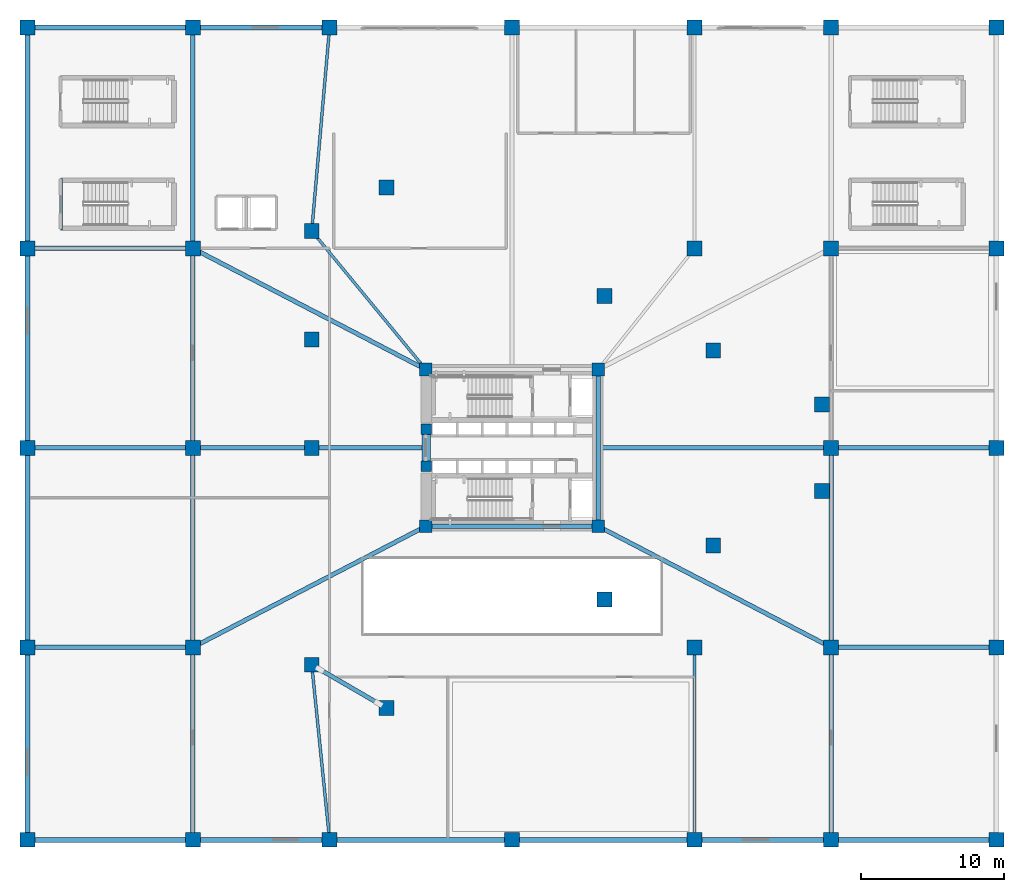
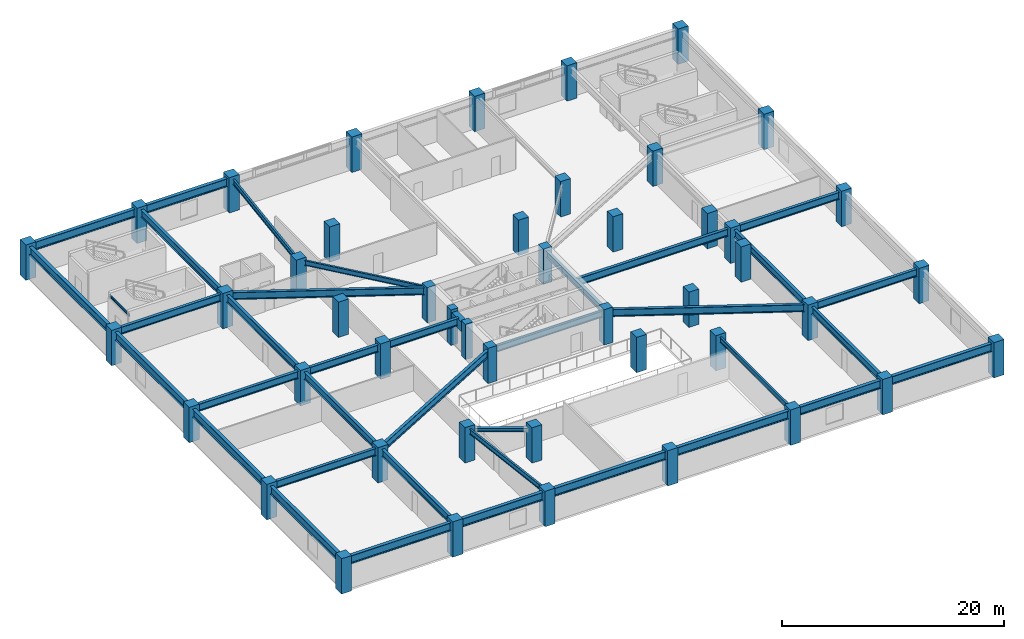
# One storey, part 1 of 15: 46 columns, 36 beams, 1 member.
"""IFC4 building model written with IfcOpenShell, lengths in metres."""

from ifc_helpers import new_model, si_unit, direction, frame, origin, origin_2d, place, context, subcontext, project, spatial, rectangle, i_section, extrude, source, transform, mapped, material, material_profile, profile_set, type_object, element, save


model = new_model("IFC4")

# Units and contexts
model_context = context("Model", 3, precision=1e-05, world=origin(), true_north=direction((0.0, 1.0)))
body_context = subcontext(model_context, "Body", "Model", "MODEL_VIEW")
ifc_project = project(units=[si_unit("LENGTHUNIT", "METRE"), si_unit("AREAUNIT", "SQUARE_METRE"), si_unit("VOLUMEUNIT", "CUBIC_METRE"), si_unit("PLANEANGLEUNIT", "RADIAN"), si_unit("MASSUNIT", "GRAM", prefix="KILO")], contexts=[model_context])

# Site, building, storey
site_placement = place(None, origin())
site = spatial("IfcSite", under=ifc_project, at=site_placement, CompositionType="ELEMENT")
building_placement = place(site_placement, origin())
building = spatial("IfcBuilding", under=site, at=building_placement, Name="Yunling Apex Tower", CompositionType="ELEMENT")
storey_placement = place(building_placement, frame((0.0, 0.0, 12.300048828125)))
storey = spatial("IfcBuildingStorey", under=building, at=storey_placement, Name="L04", CompositionType="ELEMENT", Elevation=12.300048828125)

# Columns
ifc_material_1 = material(Name="Concrete C60", Category="concrete")
ifc_material_profile_1 = material_profile(ifc_material_1, rectangle(XDim=0.89990234375, YDim=0.89990234375, at=origin_2d()))
ifc_profile_set_1 = profile_set([ifc_material_profile_1], Name="Concrete C60")
column_type_1 = type_object("IfcColumnType", Name="PC-SRC-3", PredefinedType="COLUMN", material=ifc_profile_set_1)
shared_shape_1 = source(origin(), body_context, "Body", "SweptSolid", [
    extrude(rectangle(XDim=0.89990234375, YDim=0.89990234375, at=origin_2d()), origin(), (0.0, 0.0, 1.0), 3.89990234375),
])
for number, where, z_axis, x_axis, name in (
    (1, (-6.050048828125, -5.5, 0.0), (0.0, 0.0, 1.0), (1.0, 0.0, 0.0), "L04 Core Spine Column CC-SW"),
    (2, (6.050048828125, -5.5, 0.0), (0.0, 0.0, 1.0), (1.0, 0.0, 0.0), "L04 Core Spine Column CC-SE"),
    (3, (6.050048828125, 5.5, 0.0), (0.0, 0.0, 1.0), (1.0, 0.0, 0.0), "L04 Core Spine Column CC-NE"),
    (4, (-6.050048828125, 5.5, 0.0), (0.0, 0.0, 1.0), (1.0, 0.0, 0.0), "L04 Core Spine Column CC-NW"),
):
    element("IfcColumn", number, at=place(storey_placement, frame(where, z_axis=z_axis, x_axis=x_axis)), inside=storey, type_object=column_type_1, Name=name, PredefinedType="COLUMN", context=body_context, shape_type="MappedRepresentation", body=[
        mapped(shared_shape_1, transform((0.0, 0.0, 0.0), scale=1.0)),
    ])
ifc_material_2 = material(Name="Concrete C50", Category="concrete")
ifc_material_profile_2 = material_profile(ifc_material_2, rectangle(XDim=0.75, YDim=0.75, at=origin_2d()))
ifc_profile_set_2 = profile_set([ifc_material_profile_2], Name="Concrete C50")
column_type_2 = type_object("IfcColumnType", Name="PC-SRC-4", PredefinedType="COLUMN", material=ifc_profile_set_2)
shared_shape_2 = source(origin(), body_context, "Body", "SweptSolid", [
    extrude(rectangle(XDim=0.75, YDim=0.75, at=origin_2d()), origin(), (0.0, 0.0, 1.0), 3.89990234375),
])
for number, where, z_axis, x_axis, name in (
    (5, (-6.02490234375, -1.300048828125, 0.0), (0.0, 0.0, 1.0), (1.0, 0.0, 0.0), "L04 Core West Portal Jamb Column S"),
    (6, (-6.02490234375, 1.300048828125, 0.0), (0.0, 0.0, 1.0), (1.0, 0.0, 0.0), "L04 Core West Portal Jamb Column N"),
):
    element("IfcColumn", number, at=place(storey_placement, frame(where, z_axis=z_axis, x_axis=x_axis)), inside=storey, type_object=column_type_2, Name=name, PredefinedType="COLUMN", context=body_context, shape_type="MappedRepresentation", body=[
        mapped(shared_shape_2, transform((0.0, 0.0, 0.0), scale=1.0)),
    ])
ifc_material_profile_3 = material_profile(ifc_material_1, rectangle(XDim=1.050048828125, YDim=1.050048828125, at=origin_2d()))
ifc_profile_set_3 = profile_set([ifc_material_profile_3], Name="Concrete C60")
column_type_3 = type_object("IfcColumnType", Name="PC-SRC-2", PredefinedType="COLUMN", material=ifc_profile_set_3)
shared_shape_3 = source(origin(), body_context, "Body", "SweptSolid", [
    extrude(rectangle(XDim=1.050048828125, YDim=1.050048828125, at=origin_2d()), origin(), (0.0, 0.0, 1.0), 3.89990234375),
])
for number, where, z_axis, x_axis, name in (
    (7, (-34.0, -27.5, 0.0), (0.0, 0.0, 1.0), (1.0, 0.0, 0.0), "L04 Podium Mega-Column PC-01"),
    (8, (-22.39990234375, -27.5, 0.0), (0.0, 0.0, 1.0), (1.0, 0.0, 0.0), "L04 Podium Mega-Column PC-02"),
    (9, (-12.800048828125, -27.5, 0.0), (0.0, 0.0, 1.0), (1.0, 0.0, 0.0), "L04 Podium Mega-Column PC-03"),
    (10, (0.0, -27.5, 0.0), (0.0, 0.0, 1.0), (1.0, 0.0, 0.0), "L04 Podium Mega-Column PC-04"),
    (11, (12.800048828125, -27.5, 0.0), (0.0, 0.0, 1.0), (1.0, 0.0, 0.0), "L04 Podium Mega-Column PC-05"),
    (12, (22.39990234375, -27.5, 0.0), (0.0, 0.0, 1.0), (1.0, 0.0, 0.0), "L04 Podium Mega-Column PC-06"),
    (13, (34.0, -27.5, 0.0), (0.0, 0.0, 1.0), (1.0, 0.0, 0.0), "L04 Podium Mega-Column PC-07"),
    (14, (-34.0, -14.0, 0.0), (0.0, 0.0, 1.0), (1.0, 0.0, 0.0), "L04 Podium Mega-Column PC-08"),
    (15, (-22.39990234375, -14.0, 0.0), (0.0, 0.0, 1.0), (1.0, 0.0, 0.0), "L04 Podium Mega-Column PC-09"),
    (16, (12.800048828125, -14.0, 0.0), (0.0, 0.0, 1.0), (1.0, 0.0, 0.0), "L04 Podium Mega-Column PC-11"),
    (17, (22.39990234375, -14.0, 0.0), (0.0, 0.0, 1.0), (1.0, 0.0, 0.0), "L04 Podium Mega-Column PC-12"),
    (18, (34.0, -14.0, 0.0), (0.0, 0.0, 1.0), (1.0, 0.0, 0.0), "L04 Podium Mega-Column PC-13"),
    (19, (-34.0, 0.0, 0.0), (0.0, 0.0, 1.0), (1.0, 0.0, 0.0), "L04 Podium Mega-Column PC-14"),
    (20, (-22.39990234375, 0.0, 0.0), (0.0, 0.0, 1.0), (1.0, 0.0, 0.0), "L04 Podium Mega-Column PC-15"),
    (21, (22.39990234375, 0.0, 0.0), (0.0, 0.0, 1.0), (1.0, 0.0, 0.0), "L04 Podium Mega-Column PC-16"),
    (22, (34.0, 0.0, 0.0), (0.0, 0.0, 1.0), (1.0, 0.0, 0.0), "L04 Podium Mega-Column PC-17"),
    (23, (-34.0, 14.0, 0.0), (0.0, 0.0, 1.0), (1.0, 0.0, 0.0), "L04 Podium Mega-Column PC-18"),
    (24, (-22.39990234375, 14.0, 0.0), (0.0, 0.0, 1.0), (1.0, 0.0, 0.0), "L04 Podium Mega-Column PC-19"),
    (25, (12.800048828125, 14.0, 0.0), (0.0, 0.0, 1.0), (1.0, 0.0, 0.0), "L04 Podium Mega-Column PC-21"),
    (26, (22.39990234375, 14.0, 0.0), (0.0, 0.0, 1.0), (1.0, 0.0, 0.0), "L04 Podium Mega-Column PC-22"),
    (27, (34.0, 14.0, 0.0), (0.0, 0.0, 1.0), (1.0, 0.0, 0.0), "L04 Podium Mega-Column PC-23"),
    (28, (-34.0, 29.5, 0.0), (0.0, 0.0, 1.0), (1.0, 0.0, 0.0), "L04 Podium Mega-Column PC-24"),
    (29, (-22.39990234375, 29.5, 0.0), (0.0, 0.0, 1.0), (1.0, 0.0, 0.0), "L04 Podium Mega-Column PC-25"),
    (30, (-12.800048828125, 29.5, 0.0), (0.0, 0.0, 1.0), (1.0, 0.0, 0.0), "L04 Podium Mega-Column PC-26"),
    (31, (0.0, 29.5, 0.0), (0.0, 0.0, 1.0), (1.0, 0.0, 0.0), "L04 Podium Mega-Column PC-27"),
    (32, (12.800048828125, 29.5, 0.0), (0.0, 0.0, 1.0), (1.0, 0.0, 0.0), "L04 Podium Mega-Column PC-28"),
    (33, (22.39990234375, 29.5, 0.0), (0.0, 0.0, 1.0), (1.0, 0.0, 0.0), "L04 Podium Mega-Column PC-29"),
    (34, (34.0, 29.5, 0.0), (0.0, 0.0, 1.0), (1.0, 0.0, 0.0), "L04 Podium Mega-Column PC-30"),
    (35, (-8.8115234375, -18.2578125, 0.0), (0.0, 0.0, 1.0), (1.0, 0.0, 0.0), "L04 Podium Mega-Column MP-B1-01"),
    (36, (6.477294921875, -10.648193359375, 0.0), (0.0, 0.0, 1.0), (1.0, 0.0, 0.0), "L04 Podium Mega-Column MP-B1-02"),
    (37, (14.121826171875, -6.843505859375, 0.0), (0.0, 0.0, 1.0), (1.0, 0.0, 0.0), "L04 Podium Mega-Column MP-B1-03"),
    (38, (21.76611328125, -3.038818359375, 0.0), (0.0, 0.0, 1.0), (1.0, 0.0, 0.0), "L04 Podium Mega-Column MP-B1-04"),
    (39, (21.76611328125, 3.038818359375, 0.0), (0.0, 0.0, 1.0), (1.0, 0.0, 0.0), "L04 Podium Mega-Column MP-B1-05"),
    (40, (14.121826171875, 6.843505859375, 0.0), (0.0, 0.0, 1.0), (1.0, 0.0, 0.0), "L04 Podium Mega-Column MP-B1-06"),
    (41, (6.477294921875, 10.648193359375, 0.0), (0.0, 0.0, 1.0), (1.0, 0.0, 0.0), "L04 Podium Mega-Column MP-B1-07"),
    (42, (-8.8115234375, 18.2578125, 0.0), (0.0, 0.0, 1.0), (1.0, 0.0, 0.0), "L04 Podium Mega-Column MP-B1-08"),
    (43, (-14.052001953125, 15.218994140625, 0.0), (0.0, 0.0, 1.0), (1.0, 0.0, 0.0), "L04 Podium Mega-Column MP-B1-09"),
    (44, (-14.052001953125, 7.609619140625, 0.0), (0.0, 0.0, 1.0), (1.0, 0.0, 0.0), "L04 Podium Mega-Column MP-B1-10"),
    (45, (-14.052001953125, 0.0, 0.0), (0.0, 0.0, 1.0), (1.0, 0.0, 0.0), "L04 Podium Mega-Column MP-B1-11"),
    (46, (-14.052001953125, -15.218994140625, 0.0), (0.0, 0.0, 1.0), (1.0, 0.0, 0.0), "L04 Podium Mega-Column MP-B1-12"),
):
    element("IfcColumn", number, at=place(storey_placement, frame(where, z_axis=z_axis, x_axis=x_axis)), inside=storey, type_object=column_type_3, Name=name, PredefinedType="COLUMN", context=body_context, shape_type="MappedRepresentation", body=[
        mapped(shared_shape_3, transform((0.0, 0.0, 0.0), scale=1.0)),
    ])

# Beams
ifc_material_profile_4 = material_profile(ifc_material_1, rectangle(XDim=0.60009765625, YDim=1.0, at=origin_2d()))
ifc_profile_set_4 = profile_set([ifc_material_profile_4], Name="Concrete C60")
beam_type_1 = type_object("IfcBeamType", Name="BC-CPL-1", PredefinedType="BEAM", material=ifc_profile_set_4)
shared_shape_4 = source(origin(), body_context, "Body", "SweptSolid", [
    extrude(rectangle(XDim=0.60009765625, YDim=1.0, at=origin_2d()), origin(), (0.0, 0.0, 1.0), 2.5),
])
beam_1_placement = place(storey_placement, frame((-6.02490234375, -1.25, 3.08984375), z_axis=(0.0, 1.0, 0.0), x_axis=(-1.0, 0.0, 0.0)))
element("IfcBeam", 47, at=beam_1_placement, inside=storey, type_object=beam_type_1, Name="L04 Core West Portal Coupling Beam", PredefinedType="BEAM", context=body_context, shape_type="MappedRepresentation", body=[
    mapped(shared_shape_4, transform((0.0, 0.0, 0.0), scale=1.0)),
])
ifc_material_3 = material(Name="Steel Q355B", Category="steel")
ifc_material_profile_5 = material_profile(ifc_material_3, i_section(OverallWidth=0.300048828125, OverallDepth=0.699951171875, WebThickness=0.012939453125, FlangeThickness=0.02392578125, FilletRadius=0.02587890625, at=origin_2d()))
ifc_profile_set_5 = profile_set([ifc_material_profile_5], Name="Steel Q355B")
beam_type_2 = type_object("IfcBeamType", Name="BG-PRI-3", PredefinedType="USERDEFINED", material=ifc_profile_set_5)
shared_shape_5 = source(origin(), body_context, "Body", "SweptSolid", [
    extrude(i_section(OverallWidth=0.300048828125, OverallDepth=0.699951171875, WebThickness=0.012939453125, FlangeThickness=0.02392578125, FilletRadius=0.02587890625, at=origin_2d()), origin(), (0.0, 0.0, 1.0), 11.7998046875),
])
beam_2_placement = place(storey_placement, frame((-5.89990234375, -5.5, 3.239990234375), z_axis=(1.0, 0.0, 0.0), x_axis=(0.0, 1.0, 0.0)))
element("IfcBeam", 48, at=beam_2_placement, inside=storey, type_object=beam_type_2, Name="L04 Core Ring Tie Beam 1", ObjectType="GIRDER", PredefinedType="USERDEFINED", context=body_context, shape_type="MappedRepresentation", body=[
    mapped(shared_shape_5, transform((0.0, 0.0, 0.0), scale=1.0)),
])
shared_shape_6 = source(origin(), body_context, "Body", "SweptSolid", [
    extrude(i_section(OverallWidth=0.300048828125, OverallDepth=0.699951171875, WebThickness=0.012939453125, FlangeThickness=0.02392578125, FilletRadius=0.02587890625, at=origin_2d()), origin(), (0.0, 0.0, 1.0), 10.7001953125),
])
beam_3_placement = place(storey_placement, frame((6.050048828125, -5.35009765625, 3.239990234375), z_axis=(0.0, 1.0, 0.0), x_axis=(-1.0, 0.0, 0.0)))
element("IfcBeam", 49, at=beam_3_placement, inside=storey, type_object=beam_type_2, Name="L04 Core Ring Tie Beam 2", ObjectType="GIRDER", PredefinedType="USERDEFINED", context=body_context, shape_type="MappedRepresentation", body=[
    mapped(shared_shape_6, transform((0.0, 0.0, 0.0), scale=1.0)),
])
ifc_material_profile_6 = material_profile(ifc_material_3, i_section(OverallWidth=0.35009765625, OverallDepth=0.89990234375, WebThickness=0.01806640625, FlangeThickness=0.028076171875, FilletRadius=0.02392578125, at=origin_2d()))
ifc_profile_set_6 = profile_set([ifc_material_profile_6], Name="Steel Q355B")
beam_type_3 = type_object("IfcBeamType", Name="BG-PRI-1", PredefinedType="USERDEFINED", material=ifc_profile_set_6)
shared_shape_7 = source(origin(), body_context, "Body", "SweptSolid", [
    extrude(i_section(OverallWidth=0.35009765625, OverallDepth=0.89990234375, WebThickness=0.01806640625, FlangeThickness=0.028076171875, FilletRadius=0.02392578125, at=origin_2d()), origin(), (0.0, 0.0, 1.0), 11.52001953125),
])
for number, where, z_axis, x_axis, name in (
    (50, (-33.9599609375, -27.5, 3.139892578125), (1.0, 0.0, 0.0), (0.0, 1.0, 0.0), "L04 Podium Edge Girder 1"),
    (51, (22.43994140625, -27.5, 3.139892578125), (1.0, 0.0, 0.0), (0.0, 1.0, 0.0), "L04 Podium Edge Girder 6"),
    (52, (-33.9599609375, 29.5, 3.139892578125), (1.0, 0.0, 0.0), (0.0, 1.0, 0.0), "L04 Podium Edge Girder 7"),
):
    element("IfcBeam", number, at=place(storey_placement, frame(where, z_axis=z_axis, x_axis=x_axis)), inside=storey, type_object=beam_type_3, Name=name, ObjectType="GIRDER", PredefinedType="USERDEFINED", context=body_context, shape_type="MappedRepresentation", body=[
        mapped(shared_shape_7, transform((0.0, 0.0, 0.0), scale=1.0)),
    ])
shared_shape_8 = source(origin(), body_context, "Body", "SweptSolid", [
    extrude(i_section(OverallWidth=0.35009765625, OverallDepth=0.89990234375, WebThickness=0.01806640625, FlangeThickness=0.028076171875, FilletRadius=0.02392578125, at=origin_2d()), origin(), (0.0, 0.0, 1.0), 9.52001953125),
])
for number, where, z_axis, x_axis, name in (
    (53, (-22.360107421875, -27.5, 3.139892578125), (1.0, 0.0, 0.0), (0.0, 1.0, 0.0), "L04 Podium Edge Girder 2"),
    (54, (12.840087890625, -27.5, 3.139892578125), (1.0, 0.0, 0.0), (0.0, 1.0, 0.0), "L04 Podium Edge Girder 5"),
    (55, (-22.360107421875, 29.5, 3.139892578125), (1.0, 0.0, 0.0), (0.0, 1.0, 0.0), "L04 Podium Edge Girder 8"),
):
    element("IfcBeam", number, at=place(storey_placement, frame(where, z_axis=z_axis, x_axis=x_axis)), inside=storey, type_object=beam_type_3, Name=name, ObjectType="GIRDER", PredefinedType="USERDEFINED", context=body_context, shape_type="MappedRepresentation", body=[
        mapped(shared_shape_8, transform((0.0, 0.0, 0.0), scale=1.0)),
    ])
shared_shape_9 = source(origin(), body_context, "Body", "SweptSolid", [
    extrude(i_section(OverallWidth=0.35009765625, OverallDepth=0.89990234375, WebThickness=0.01806640625, FlangeThickness=0.028076171875, FilletRadius=0.02392578125, at=origin_2d()), origin(), (0.0, 0.0, 1.0), 12.719970703125),
])
for number, where, z_axis, x_axis, name in (
    (56, (-12.760009765625, -27.5, 3.139892578125), (1.0, 0.0, 0.0), (0.0, 1.0, 0.0), "L04 Podium Edge Girder 3"),
    (57, (0.0400390625, -27.5, 3.139892578125), (1.0, 0.0, 0.0), (0.0, 1.0, 0.0), "L04 Podium Edge Girder 4"),
):
    element("IfcBeam", number, at=place(storey_placement, frame(where, z_axis=z_axis, x_axis=x_axis)), inside=storey, type_object=beam_type_3, Name=name, ObjectType="GIRDER", PredefinedType="USERDEFINED", context=body_context, shape_type="MappedRepresentation", body=[
        mapped(shared_shape_9, transform((0.0, 0.0, 0.0), scale=1.0)),
    ])
shared_shape_10 = source(origin(), body_context, "Body", "SweptSolid", [
    extrude(i_section(OverallWidth=0.35009765625, OverallDepth=0.89990234375, WebThickness=0.01806640625, FlangeThickness=0.028076171875, FilletRadius=0.02392578125, at=origin_2d()), origin(), (0.0, 0.0, 1.0), 13.419921875),
])
beam_4_placement = place(storey_placement, frame((-34.0, -27.4599609375, 3.139892578125), z_axis=(0.0, 1.0, 0.0), x_axis=(-1.0, 0.0, 0.0)))
element("IfcBeam", 58, at=beam_4_placement, inside=storey, type_object=beam_type_3, Name="L04 Podium Side Girder 13", ObjectType="GIRDER", PredefinedType="USERDEFINED", context=body_context, shape_type="MappedRepresentation", body=[
    mapped(shared_shape_10, transform((0.0, 0.0, 0.0), scale=1.0)),
])
shared_shape_11 = source(origin(), body_context, "Body", "SweptSolid", [
    extrude(i_section(OverallWidth=0.35009765625, OverallDepth=0.89990234375, WebThickness=0.01806640625, FlangeThickness=0.028076171875, FilletRadius=0.02392578125, at=origin_2d()), origin(), (0.0, 0.0, 1.0), 13.919921875),
])
for number, where, z_axis, x_axis, name in (
    (59, (-34.0, -13.9599609375, 3.139892578125), (0.0, 1.0, 0.0), (-1.0, 0.0, 0.0), "L04 Podium Side Girder 14"),
    (60, (-34.0, 0.0400390625, 3.139892578125), (0.0, 1.0, 0.0), (-1.0, 0.0, 0.0), "L04 Podium Side Girder 15"),
):
    element("IfcBeam", number, at=place(storey_placement, frame(where, z_axis=z_axis, x_axis=x_axis)), inside=storey, type_object=beam_type_3, Name=name, ObjectType="GIRDER", PredefinedType="USERDEFINED", context=body_context, shape_type="MappedRepresentation", body=[
        mapped(shared_shape_11, transform((0.0, 0.0, 0.0), scale=1.0)),
    ])
shared_shape_12 = source(origin(), body_context, "Body", "SweptSolid", [
    extrude(i_section(OverallWidth=0.35009765625, OverallDepth=0.89990234375, WebThickness=0.01806640625, FlangeThickness=0.028076171875, FilletRadius=0.02392578125, at=origin_2d()), origin(), (0.0, 0.0, 1.0), 15.419921875),
])
beam_5_placement = place(storey_placement, frame((-34.0, 14.0400390625, 3.139892578125), z_axis=(0.0, 1.0, 0.0), x_axis=(-1.0, 0.0, 0.0)))
element("IfcBeam", 61, at=beam_5_placement, inside=storey, type_object=beam_type_3, Name="L04 Podium Side Girder 16", ObjectType="GIRDER", PredefinedType="USERDEFINED", context=body_context, shape_type="MappedRepresentation", body=[
    mapped(shared_shape_12, transform((0.0, 0.0, 0.0), scale=1.0)),
])
ifc_material_profile_7 = material_profile(ifc_material_3, i_section(OverallWidth=0.300048828125, OverallDepth=0.800048828125, WebThickness=0.013916015625, FlangeThickness=0.02587890625, FilletRadius=0.028076171875, at=origin_2d()))
ifc_profile_set_7 = profile_set([ifc_material_profile_7], Name="Steel Q355B")
beam_type_4 = type_object("IfcBeamType", Name="BG-PRI-2", PredefinedType="USERDEFINED", material=ifc_profile_set_7)
shared_shape_13 = source(origin(), body_context, "Body", "SweptSolid", [
    extrude(i_section(OverallWidth=0.300048828125, OverallDepth=0.800048828125, WebThickness=0.013916015625, FlangeThickness=0.02587890625, FilletRadius=0.028076171875, at=origin_2d()), origin(), (0.0, 0.0, 1.0), 11.52001953125),
])
for number, where, z_axis, x_axis, name in (
    (62, (-33.9599609375, 14.0, 3.18994140625), (1.0, 0.0, 0.0), (0.0, 1.0, 0.0), "L04 Podium Primary Girder 1"),
    (63, (-33.9599609375, -14.0, 3.18994140625), (1.0, 0.0, 0.0), (0.0, 1.0, 0.0), "L04 Podium Primary Girder 5"),
    (64, (22.43994140625, -14.0, 3.18994140625), (1.0, 0.0, 0.0), (0.0, 1.0, 0.0), "L04 Podium Primary Girder 8"),
    (65, (-33.9599609375, 0.0, 3.18994140625), (1.0, 0.0, 0.0), (0.0, 1.0, 0.0), "L04 Podium Primary Girder 9"),
    (66, (22.43994140625, 0.0, 3.18994140625), (1.0, 0.0, 0.0), (0.0, 1.0, 0.0), "L04 Podium Primary Girder 12"),
):
    element("IfcBeam", number, at=place(storey_placement, frame(where, z_axis=z_axis, x_axis=x_axis)), inside=storey, type_object=beam_type_4, Name=name, ObjectType="GIRDER", PredefinedType="USERDEFINED", context=body_context, shape_type="MappedRepresentation", body=[
        mapped(shared_shape_13, transform((0.0, 0.0, 0.0), scale=1.0)),
    ])
shared_shape_14 = source(origin(), body_context, "Body", "SweptSolid", [
    extrude(i_section(OverallWidth=0.300048828125, OverallDepth=0.800048828125, WebThickness=0.013916015625, FlangeThickness=0.02587890625, FilletRadius=0.028076171875, at=origin_2d()), origin(), (0.0, 0.0, 1.0), 18.347412109375),
])
for number, where, z_axis, x_axis, name in (
    (67, (-22.364501953125, 13.9814453125, 3.18994140625), (0.887266251523, -0.461257627481, 0.0), (0.461257627481, 0.887266251523, 0.0), "L04 Podium Primary Girder 2"),
    (68, (-22.364501953125, -13.9814453125, 3.18994140625), (0.887266251523, 0.461257627481, 0.0), (-0.461257627481, 0.887266251523, 0.0), "L04 Podium Primary Girder 6"),
    (69, (6.08544921875, -5.5185546875, 3.18994140625), (0.887266251523, -0.461257627481, 0.0), (0.461257627481, 0.887266251523, 0.0), "L04 Podium Primary Girder 7"),
):
    element("IfcBeam", number, at=place(storey_placement, frame(where, z_axis=z_axis, x_axis=x_axis)), inside=storey, type_object=beam_type_4, Name=name, ObjectType="GIRDER", PredefinedType="USERDEFINED", context=body_context, shape_type="MappedRepresentation", body=[
        mapped(shared_shape_14, transform((0.0, 0.0, 0.0), scale=1.0)),
    ])
shared_shape_15 = source(origin(), body_context, "Body", "SweptSolid", [
    extrude(i_section(OverallWidth=0.300048828125, OverallDepth=0.800048828125, WebThickness=0.013916015625, FlangeThickness=0.02587890625, FilletRadius=0.028076171875, at=origin_2d()), origin(), (0.0, 0.0, 1.0), 16.22021484375),
])
for number, where, z_axis, x_axis, name in (
    (70, (-22.360107421875, 0.0, 3.18994140625), (1.0, 0.0, 0.0), (0.0, 1.0, 0.0), "L04 Podium Primary Girder 10"),
    (71, (6.139892578125, 0.0, 3.18994140625), (1.0, 0.0, 0.0), (0.0, 1.0, 0.0), "L04 Podium Primary Girder 11"),
):
    element("IfcBeam", number, at=place(storey_placement, frame(where, z_axis=z_axis, x_axis=x_axis)), inside=storey, type_object=beam_type_4, Name=name, ObjectType="GIRDER", PredefinedType="USERDEFINED", context=body_context, shape_type="MappedRepresentation", body=[
        mapped(shared_shape_15, transform((0.0, 0.0, 0.0), scale=1.0)),
    ])
shared_shape_16 = source(origin(), body_context, "Body", "SweptSolid", [
    extrude(i_section(OverallWidth=0.300048828125, OverallDepth=0.800048828125, WebThickness=0.013916015625, FlangeThickness=0.02587890625, FilletRadius=0.028076171875, at=origin_2d()), origin(), (0.0, 0.0, 1.0), 15.419921875),
])
beam_6_placement = place(storey_placement, frame((-22.39990234375, 29.4599609375, 3.18994140625), z_axis=(0.0, -1.0, 0.0), x_axis=(1.0, 0.0, 0.0)))
element("IfcBeam", 72, at=beam_6_placement, inside=storey, type_object=beam_type_4, Name="L04 Podium Primary Girder 13", ObjectType="GIRDER", PredefinedType="USERDEFINED", context=body_context, shape_type="MappedRepresentation", body=[
    mapped(shared_shape_16, transform((0.0, 0.0, 0.0), scale=1.0)),
])
shared_shape_17 = source(origin(), body_context, "Body", "SweptSolid", [
    extrude(i_section(OverallWidth=0.300048828125, OverallDepth=0.800048828125, WebThickness=0.013916015625, FlangeThickness=0.02587890625, FilletRadius=0.028076171875, at=origin_2d()), origin(), (0.0, 0.0, 1.0), 13.919921875),
])
for number, where, z_axis, x_axis, name in (
    (73, (-22.39990234375, 13.9599609375, 3.18994140625), (0.0, -1.0, 0.0), (1.0, 0.0, 0.0), "L04 Podium Primary Girder 14"),
    (74, (-22.39990234375, -0.0400390625, 3.18994140625), (0.0, -1.0, 0.0), (1.0, 0.0, 0.0), "L04 Podium Primary Girder 15"),
    (75, (22.39990234375, -0.0400390625, 3.18994140625), (0.0, -1.0, 0.0), (1.0, 0.0, 0.0), "L04 Podium Primary Girder 19"),
):
    element("IfcBeam", number, at=place(storey_placement, frame(where, z_axis=z_axis, x_axis=x_axis)), inside=storey, type_object=beam_type_4, Name=name, ObjectType="GIRDER", PredefinedType="USERDEFINED", context=body_context, shape_type="MappedRepresentation", body=[
        mapped(shared_shape_17, transform((0.0, 0.0, 0.0), scale=1.0)),
    ])
shared_shape_18 = source(origin(), body_context, "Body", "SweptSolid", [
    extrude(i_section(OverallWidth=0.300048828125, OverallDepth=0.800048828125, WebThickness=0.013916015625, FlangeThickness=0.02587890625, FilletRadius=0.028076171875, at=origin_2d()), origin(), (0.0, 0.0, 1.0), 13.419921875),
])
for number, where, z_axis, x_axis, name in (
    (76, (-22.39990234375, -14.0400390625, 3.18994140625), (0.0, -1.0, 0.0), (1.0, 0.0, 0.0), "L04 Podium Primary Girder 16"),
    (77, (22.39990234375, -14.0400390625, 3.18994140625), (0.0, -1.0, 0.0), (1.0, 0.0, 0.0), "L04 Podium Primary Girder 20"),
):
    element("IfcBeam", number, at=place(storey_placement, frame(where, z_axis=z_axis, x_axis=x_axis)), inside=storey, type_object=beam_type_4, Name=name, ObjectType="GIRDER", PredefinedType="USERDEFINED", context=body_context, shape_type="MappedRepresentation", body=[
        mapped(shared_shape_18, transform((0.0, 0.0, 0.0), scale=1.0)),
    ])
ifc_material_profile_8 = material_profile(ifc_material_3, i_section(OverallWidth=0.199951171875, OverallDepth=0.550048828125, WebThickness=0.010009765625, FlangeThickness=0.01611328125, FilletRadius=0.02001953125, at=origin_2d()))
ifc_profile_set_8 = profile_set([ifc_material_profile_8], Name="Steel Q355B")
beam_type_5 = type_object("IfcBeamType", Name="BS-SEC-1", PredefinedType="BEAM", material=ifc_profile_set_8)
shared_shape_19 = source(origin(), body_context, "Body", "SweptSolid", [
    extrude(i_section(OverallWidth=0.199951171875, OverallDepth=0.550048828125, WebThickness=0.010009765625, FlangeThickness=0.01611328125, FilletRadius=0.02001953125, at=origin_2d()), origin(), (0.0, 0.0, 1.0), 14.255859375),
])
beam_7_placement = place(storey_placement, frame((-12.803466796875, 29.460205078125, 3.31494140625), z_axis=(-0.087340515192, -0.99617851533, 0.0), x_axis=(0.99617851533, -0.087340515192, 0.0)))
element("IfcBeam", 78, at=beam_7_placement, inside=storey, type_object=beam_type_5, Name="L04 Podium Secondary Beam 1", PredefinedType="BEAM", context=body_context, shape_type="MappedRepresentation", body=[
    mapped(shared_shape_19, transform((0.0, 0.0, 0.0), scale=1.0)),
])
shared_shape_20 = source(origin(), body_context, "Body", "SweptSolid", [
    extrude(i_section(OverallWidth=0.199951171875, OverallDepth=0.550048828125, WebThickness=0.010009765625, FlangeThickness=0.01611328125, FilletRadius=0.02001953125, at=origin_2d()), origin(), (0.0, 0.0, 1.0), 12.509033203125),
])
beam_8_placement = place(storey_placement, frame((-14.026611328125, 15.18798828125, 3.31494140625), z_axis=(0.635629262148, -0.771994456652, 0.0), x_axis=(0.771994456652, 0.635629262148, 0.0)))
element("IfcBeam", 79, at=beam_8_placement, inside=storey, type_object=beam_type_5, Name="L04 Podium Secondary Beam 2", PredefinedType="BEAM", context=body_context, shape_type="MappedRepresentation", body=[
    mapped(shared_shape_20, transform((0.0, 0.0, 0.0), scale=1.0)),
])
shared_shape_21 = source(origin(), body_context, "Body", "SweptSolid", [
    extrude(i_section(OverallWidth=0.199951171875, OverallDepth=0.550048828125, WebThickness=0.010009765625, FlangeThickness=0.01611328125, FilletRadius=0.02001953125, at=origin_2d()), origin(), (0.0, 0.0, 1.0), 13.419921875),
])
beam_9_placement = place(storey_placement, frame((12.800048828125, -27.4599609375, 3.31494140625), z_axis=(0.0, 1.0, 0.0), x_axis=(-1.0, 0.0, 0.0)))
element("IfcBeam", 80, at=beam_9_placement, inside=storey, type_object=beam_type_5, Name="L04 Podium Secondary Beam 7", PredefinedType="BEAM", context=body_context, shape_type="MappedRepresentation", body=[
    mapped(shared_shape_21, transform((0.0, 0.0, 0.0), scale=1.0)),
])
shared_shape_22 = source(origin(), body_context, "Body", "SweptSolid", [
    extrude(i_section(OverallWidth=0.199951171875, OverallDepth=0.550048828125, WebThickness=0.010009765625, FlangeThickness=0.01611328125, FilletRadius=0.02001953125, at=origin_2d()), origin(), (0.0, 0.0, 1.0), 12.2646484375),
])
beam_10_placement = place(storey_placement, frame((-12.80419921875, -27.460205078125, 3.31494140625), z_axis=(-0.101401512652, 0.994845582607, 0.0), x_axis=(-0.994845582607, -0.101401512652, 0.0)))
element("IfcBeam", 81, at=beam_10_placement, inside=storey, type_object=beam_type_5, Name="L04 Podium Secondary Beam 5", PredefinedType="BEAM", context=body_context, shape_type="MappedRepresentation", body=[
    mapped(shared_shape_22, transform((0.0, 0.0, 0.0), scale=1.0)),
])
ifc_material_profile_9 = material_profile(ifc_material_3, i_section(OverallWidth=0.125, OverallDepth=0.25, WebThickness=0.006103515625, FlangeThickness=0.009033203125, FilletRadius=0.011962890625, at=origin_2d()))
ifc_profile_set_9 = profile_set([ifc_material_profile_9], Name="Steel Q355B")
beam_type_6 = type_object("IfcBeamType", Name="BL-LNT-1", PredefinedType="LINTEL", material=ifc_profile_set_9)
shared_shape_23 = source(origin(), body_context, "Body", "SweptSolid", [
    extrude(i_section(OverallWidth=0.125, OverallDepth=0.25, WebThickness=0.006103515625, FlangeThickness=0.009033203125, FilletRadius=0.011962890625, at=origin_2d()), origin(), (0.0, 0.0, 1.0), 3.639892578125),
])
beam_11_placement = place(storey_placement, frame((-31.60009765625, 15.280029296875, 3.43994140625), z_axis=(0.0, 1.0, 0.0), x_axis=(-1.0, 0.0, 0.0)))
element("IfcBeam", 82, at=beam_11_placement, inside=storey, type_object=beam_type_6, Name="L04 Secondary Spandrel Lintel BL-LNT-L04-1", PredefinedType="LINTEL", context=body_context, shape_type="MappedRepresentation", body=[
    mapped(shared_shape_23, transform((0.0, 0.0, 0.0), scale=1.0)),
])

# Member
ifc_material_profile_10 = material_profile(ifc_material_3, i_section(OverallWidth=0.300048828125, OverallDepth=0.389892578125, WebThickness=0.010009765625, FlangeThickness=0.01611328125, FilletRadius=0.02001953125, at=origin_2d()))
ifc_profile_set_10 = profile_set([ifc_material_profile_10], Name="Steel Q355B")
member_type = type_object("IfcMemberType", Name="ST-STR-2", PredefinedType="STRUT", material=ifc_profile_set_10)
shared_shape_24 = source(origin(), body_context, "Body", "SweptSolid", [
    extrude(i_section(OverallWidth=0.300048828125, OverallDepth=0.389892578125, WebThickness=0.010009765625, FlangeThickness=0.01611328125, FilletRadius=0.02001953125, at=origin_2d()), origin(), (0.0, 0.0, 1.0), 4.758056640625),
])
member_placement = place(storey_placement, frame((-13.48779296875, -15.546142578125, 3.239990234375), z_axis=(0.864965709617, -0.50183096874, 0.0), x_axis=(0.50183096874, 0.864965709617, 0.0)))
element("IfcMember", 83, at=member_placement, inside=storey, type_object=member_type, Name="L04 Atrium Lateral Tie Strut", PredefinedType="STRUT", context=body_context, shape_type="MappedRepresentation", body=[
    mapped(shared_shape_24, transform((0.0, 0.0, 0.0), scale=1.0)),
])

save(model, "model.ifc")
